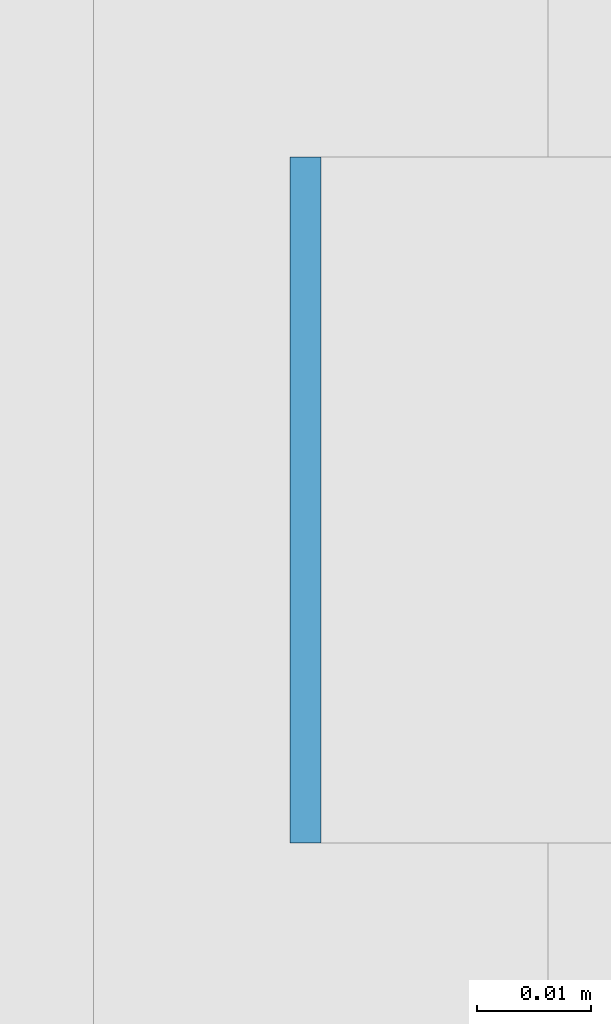
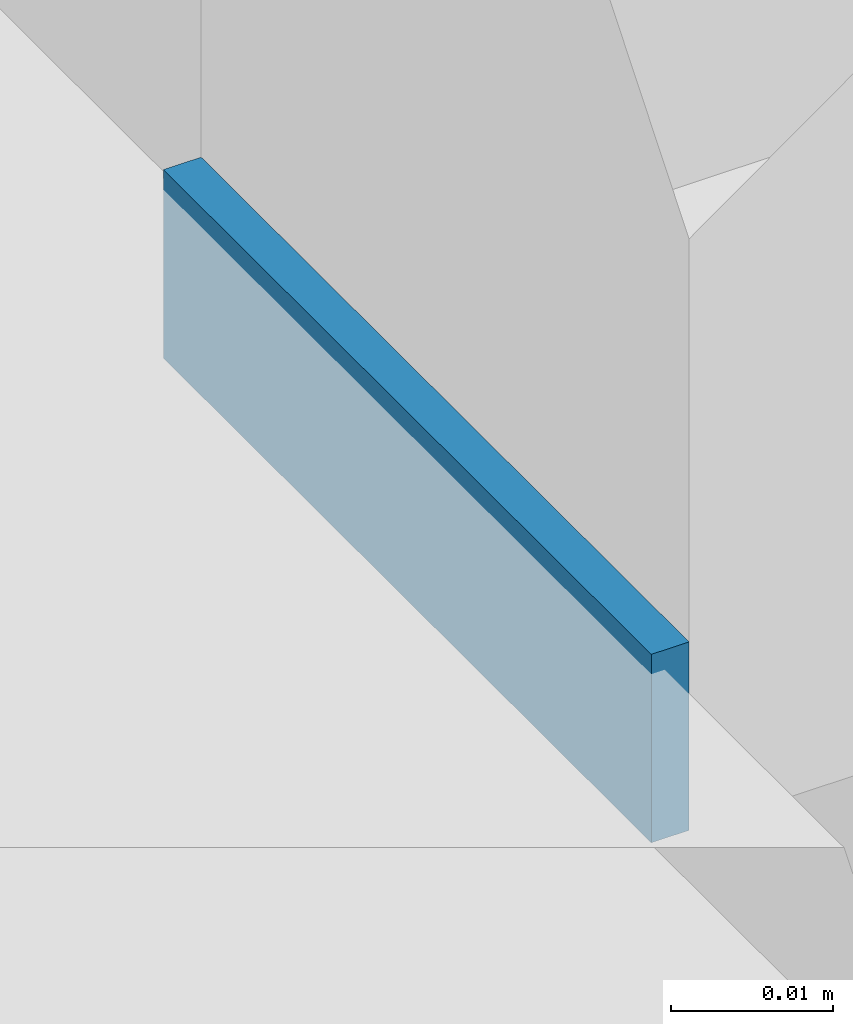
# One storey, part 550 of 646: 1 discrete accessory.
"""IFC4 building model written with IfcOpenShell, lengths in metres."""

from ifc_helpers import new_model, si_unit, direction, frame, origin, origin_2d, place, context, subcontext, project, spatial, rectangle, extrude, material, type_object, element, save


model = new_model("IFC4")

# Units and contexts
model_context = context("Model", 3, precision=1e-05, world=origin(), true_north=direction((0.0, 1.0)))
body_context = subcontext(model_context, "Body", "Model", "MODEL_VIEW")
ifc_project = project(units=[si_unit("LENGTHUNIT", "METRE"), si_unit("AREAUNIT", "SQUARE_METRE"), si_unit("VOLUMEUNIT", "CUBIC_METRE"), si_unit("PLANEANGLEUNIT", "RADIAN"), si_unit("MASSUNIT", "GRAM", prefix="KILO")], contexts=[model_context])

# Site, building, storey
site_placement = place(None, origin())
site = spatial("IfcSite", under=ifc_project, at=site_placement, CompositionType="ELEMENT")
building_placement = place(site_placement, origin())
building = spatial("IfcBuilding", under=site, at=building_placement, Name="Silverbay Arena", CompositionType="ELEMENT")
storey_placement = place(building_placement, frame((0.0, 0.0, 33.5)))
storey = spatial("IfcBuildingStorey", under=building, at=storey_placement, Name="L05", CompositionType="ELEMENT", Elevation=33.5)

# Discrete accessory
ifc_material = material(Name="Steel S355", Category="steel")
discrete_accessory_type = type_object("IfcDiscreteAccessoryType", Name="Steel bracket plate", PredefinedType="BRACKET", material=ifc_material)
discrete_accessory_placement = place(storey_placement, frame((207.128662109375, 95.142822265625, 4.0), z_axis=(0.0, 0.0, 1.0), x_axis=(1.0, 0.0, 0.0)))
element("IfcDiscreteAccessory", 1, at=discrete_accessory_placement, inside=storey, type_object=discrete_accessory_type, Name="Curtain wall packing plate", PredefinedType="BRACKET", context=body_context, shape_type="SweptSolid", body=[
    extrude(rectangle(XDim=0.002685546875, YDim=0.06005859375, at=origin_2d()), origin(), (0.0, 0.0, 1.0), 0.01416015625),
])

save(model, "model.ifc")
